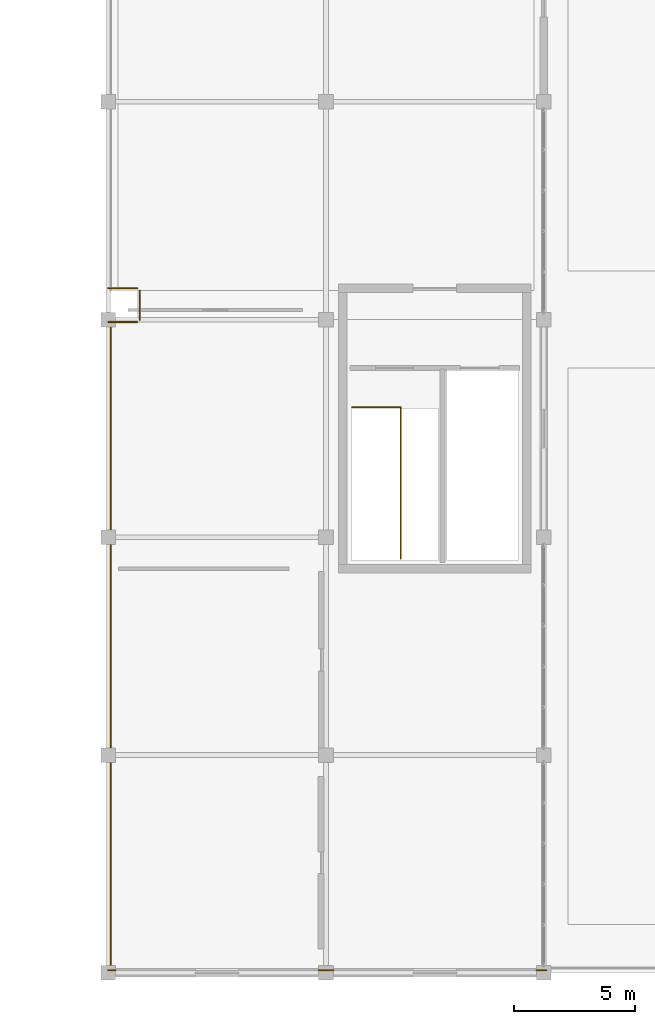
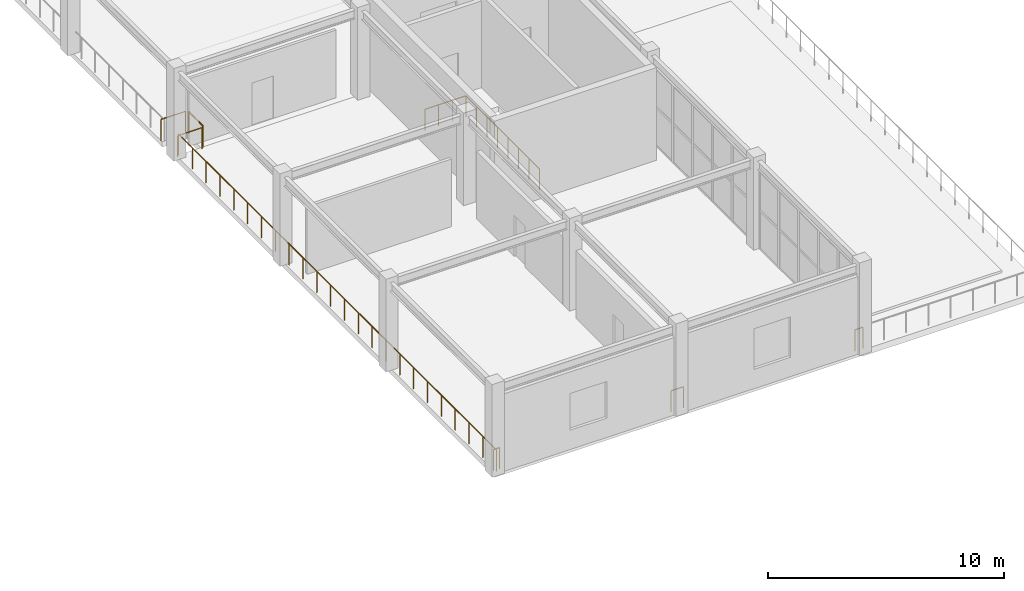
# One storey, part 161 of 167: 8 railings.
"""IFC4 building model written with IfcOpenShell, lengths in metres."""

from ifc_helpers import new_model, si_unit, direction, frame, origin, origin_2d, place, context, subcontext, project, spatial, circle, extrude, material, type_object, element, save


model = new_model("IFC4")

# Units and contexts
model_context = context("Model", 3, precision=1e-05, world=origin(), true_north=direction((0.0, 1.0)))
body_context = subcontext(model_context, "Body", "Model", "MODEL_VIEW")
ifc_project = project(units=[si_unit("LENGTHUNIT", "METRE"), si_unit("AREAUNIT", "SQUARE_METRE"), si_unit("VOLUMEUNIT", "CUBIC_METRE"), si_unit("PLANEANGLEUNIT", "RADIAN"), si_unit("MASSUNIT", "GRAM", prefix="KILO")], contexts=[model_context])

# Site, building, storey
site_placement = place(None, origin())
site = spatial("IfcSite", under=ifc_project, at=site_placement, CompositionType="ELEMENT")
building_placement = place(site_placement, origin())
building = spatial("IfcBuilding", under=site, at=building_placement, Name="Dornveld Trade and Exhibition Forum", CompositionType="ELEMENT")
storey_placement = place(building_placement, frame((0.0, 0.0, 16.800048828125)))
storey = spatial("IfcBuildingStorey", under=building, at=storey_placement, Name="L03", CompositionType="ELEMENT", Elevation=16.800048828125)

# Railings
ifc_material_1 = material(Name="Dark-bronze steel and laminated glass balustrade", Category="steel")
railing_type_1 = type_object("IfcRailingType", Name="RL-BALUST-CONC", PredefinedType="BALUSTRADE", material=ifc_material_1)
railing_1_placement = place(storey_placement, frame((199.300048828125, 27.0, 0.0)))
element("IfcRailing", 1, at=railing_1_placement, inside=storey, type_object=railing_type_1, Name="L03 deck edge balustrade 171", PredefinedType="BALUSTRADE", context=body_context, shape_type="SweptSolid", body=[
    extrude(circle(Radius=0.02490234375, at=origin_2d()), frame((0.0, 0.0, 1.09521484375), z_axis=(0.0, 1.0, 0.0), x_axis=(-1.0, 0.0, 0.0)), (0.0, 0.0, 1.0), 1.199951171875),
    extrude(circle(Radius=0.02099609375, at=origin_2d()), origin(), (0.0, 0.0, 1.0), 1.070068359375),
    extrude(circle(Radius=0.02099609375, at=origin_2d()), frame((0.0, 1.199951171875, 0.0)), (0.0, 0.0, 1.0), 1.070068359375),
])
railing_2_placement = place(storey_placement, frame((199.199951171875, 28.300048828125, 0.0)))
element("IfcRailing", 2, at=railing_2_placement, inside=storey, type_object=railing_type_1, Name="L03 deck edge balustrade 172", PredefinedType="BALUSTRADE", context=body_context, shape_type="SweptSolid", body=[
    extrude(circle(Radius=0.02490234375, at=origin_2d()), frame((0.0, 0.0, 1.09521484375), z_axis=(-1.0, 0.0, 0.0), x_axis=(0.0, -1.0, 0.0)), (0.0, 0.0, 1.0), 1.199951171875),
    extrude(circle(Radius=0.02099609375, at=origin_2d()), origin(), (0.0, 0.0, 1.0), 1.070068359375),
    extrude(circle(Radius=0.02099609375, at=origin_2d()), frame((-1.199951171875, 0.0, 0.0)), (0.0, 0.0, 1.0), 1.070068359375),
])
railing_3_placement = place(storey_placement, frame((216.10009765625, 0.10009765625, 0.0)))
element("IfcRailing", 3, at=railing_3_placement, inside=storey, type_object=railing_type_1, Name="L03 deck edge balustrade 177", PredefinedType="BALUSTRADE", context=body_context, shape_type="SweptSolid", body=[
    extrude(circle(Radius=0.02490234375, at=origin_2d()), frame((0.0, 0.0, 1.09521484375), z_axis=(-1.0, 0.0, 0.0), x_axis=(0.0, -1.0, 0.0)), (0.0, 0.0, 1.0), 0.399658203125),
    extrude(circle(Radius=0.02099609375, at=origin_2d()), origin(), (0.0, 0.0, 1.0), 1.070068359375),
    extrude(circle(Radius=0.02099609375, at=origin_2d()), frame((-0.399658203125, 0.0, 0.0)), (0.0, 0.0, 1.0), 1.070068359375),
])
railing_4_placement = place(storey_placement, frame((207.299560546875, 0.10009765625, 0.0)))
element("IfcRailing", 4, at=railing_4_placement, inside=storey, type_object=railing_type_1, Name="L03 deck edge balustrade 178", PredefinedType="BALUSTRADE", context=body_context, shape_type="SweptSolid", body=[
    extrude(circle(Radius=0.02490234375, at=origin_2d()), frame((0.0, 0.0, 1.09521484375), z_axis=(-1.0, 0.0, 0.0), x_axis=(0.0, -1.0, 0.0)), (0.0, 0.0, 1.0), 0.59912109375),
    extrude(circle(Radius=0.02099609375, at=origin_2d()), origin(), (0.0, 0.0, 1.0), 1.070068359375),
    extrude(circle(Radius=0.02099609375, at=origin_2d()), frame((-0.59912109375, 0.0, 0.0)), (0.0, 0.0, 1.0), 1.070068359375),
])
railing_5_placement = place(storey_placement, frame((198.299560546875, 0.10009765625, 0.0)))
element("IfcRailing", 5, at=railing_5_placement, inside=storey, type_object=railing_type_1, Name="L03 deck edge balustrade 179", PredefinedType="BALUSTRADE", context=body_context, shape_type="SweptSolid", body=[
    extrude(circle(Radius=0.02490234375, at=origin_2d()), frame((0.0, 0.0, 1.09521484375), z_axis=(-1.0, 0.0, 0.0), x_axis=(0.0, -1.0, 0.0)), (0.0, 0.0, 1.0), 0.299560546875),
    extrude(circle(Radius=0.02099609375, at=origin_2d()), origin(), (0.0, 0.0, 1.0), 1.070068359375),
    extrude(circle(Radius=0.02099609375, at=origin_2d()), frame((-0.299560546875, 0.0, 0.0)), (0.0, 0.0, 1.0), 1.070068359375),
])
railing_6_placement = place(storey_placement, frame((198.10009765625, 0.0, 0.0)))
element("IfcRailing", 6, at=railing_6_placement, inside=storey, type_object=railing_type_1, Name="L03 deck edge balustrade 180", PredefinedType="BALUSTRADE", context=body_context, shape_type="SweptSolid", body=[
    extrude(circle(Radius=0.02490234375, at=origin_2d()), frame((0.0, 0.0, 1.09521484375), z_axis=(0.0, 1.0, 0.0), x_axis=(-1.0, 0.0, 0.0)), (0.0, 0.0, 1.0), 27.0),
    extrude(circle(Radius=0.02099609375, at=origin_2d()), origin(), (0.0, 0.0, 1.0), 1.070068359375),
    extrude(circle(Radius=0.02099609375, at=origin_2d()), frame((0.0, 1.173828125, 0.0)), (0.0, 0.0, 1.0), 1.070068359375),
    extrude(circle(Radius=0.02099609375, at=origin_2d()), frame((0.0, 2.347900390625, 0.0)), (0.0, 0.0, 1.0), 1.070068359375),
    extrude(circle(Radius=0.02099609375, at=origin_2d()), frame((0.0, 3.521728515625, 0.0)), (0.0, 0.0, 1.0), 1.070068359375),
    extrude(circle(Radius=0.02099609375, at=origin_2d()), frame((0.0, 4.695556640625, 0.0)), (0.0, 0.0, 1.0), 1.070068359375),
    extrude(circle(Radius=0.02099609375, at=origin_2d()), frame((0.0, 5.86962890625, 0.0)), (0.0, 0.0, 1.0), 1.070068359375),
    extrude(circle(Radius=0.02099609375, at=origin_2d()), frame((0.0, 7.04345703125, 0.0)), (0.0, 0.0, 1.0), 1.070068359375),
    extrude(circle(Radius=0.02099609375, at=origin_2d()), frame((0.0, 8.21728515625, 0.0)), (0.0, 0.0, 1.0), 1.070068359375),
    extrude(circle(Radius=0.02099609375, at=origin_2d()), frame((0.0, 9.391357421875, 0.0)), (0.0, 0.0, 1.0), 1.070068359375),
    extrude(circle(Radius=0.02099609375, at=origin_2d()), frame((0.0, 10.565185546875, 0.0)), (0.0, 0.0, 1.0), 1.070068359375),
    extrude(circle(Radius=0.02099609375, at=origin_2d()), frame((0.0, 11.739013671875, 0.0)), (0.0, 0.0, 1.0), 1.070068359375),
    extrude(circle(Radius=0.02099609375, at=origin_2d()), frame((0.0, 12.9130859375, 0.0)), (0.0, 0.0, 1.0), 1.070068359375),
    extrude(circle(Radius=0.02099609375, at=origin_2d()), frame((0.0, 14.0869140625, 0.0)), (0.0, 0.0, 1.0), 1.070068359375),
    extrude(circle(Radius=0.02099609375, at=origin_2d()), frame((0.0, 15.260986328125, 0.0)), (0.0, 0.0, 1.0), 1.070068359375),
    extrude(circle(Radius=0.02099609375, at=origin_2d()), frame((0.0, 16.434814453125, 0.0)), (0.0, 0.0, 1.0), 1.070068359375),
    extrude(circle(Radius=0.02099609375, at=origin_2d()), frame((0.0, 17.608642578125, 0.0)), (0.0, 0.0, 1.0), 1.070068359375),
    extrude(circle(Radius=0.02099609375, at=origin_2d()), frame((0.0, 18.78271484375, 0.0)), (0.0, 0.0, 1.0), 1.070068359375),
    extrude(circle(Radius=0.02099609375, at=origin_2d()), frame((0.0, 19.95654296875, 0.0)), (0.0, 0.0, 1.0), 1.070068359375),
    extrude(circle(Radius=0.02099609375, at=origin_2d()), frame((0.0, 21.13037109375, 0.0)), (0.0, 0.0, 1.0), 1.070068359375),
    extrude(circle(Radius=0.02099609375, at=origin_2d()), frame((0.0, 22.304443359375, 0.0)), (0.0, 0.0, 1.0), 1.070068359375),
    extrude(circle(Radius=0.02099609375, at=origin_2d()), frame((0.0, 23.478271484375, 0.0)), (0.0, 0.0, 1.0), 1.070068359375),
    extrude(circle(Radius=0.02099609375, at=origin_2d()), frame((0.0, 24.652099609375, 0.0)), (0.0, 0.0, 1.0), 1.070068359375),
    extrude(circle(Radius=0.02099609375, at=origin_2d()), frame((0.0, 25.826171875, 0.0)), (0.0, 0.0, 1.0), 1.070068359375),
    extrude(circle(Radius=0.02099609375, at=origin_2d()), frame((0.0, 27.0, 0.0)), (0.0, 0.0, 1.0), 1.070068359375),
])
railing_7_placement = place(storey_placement, frame((198.0, 26.89990234375, 0.0)))
element("IfcRailing", 7, at=railing_7_placement, inside=storey, type_object=railing_type_1, Name="L03 deck edge balustrade 181", PredefinedType="BALUSTRADE", context=body_context, shape_type="SweptSolid", body=[
    extrude(circle(Radius=0.02490234375, at=origin_2d()), frame((0.0, 0.0, 1.09521484375), z_axis=(1.0, 0.0, 0.0), x_axis=(0.0, 1.0, 0.0)), (0.0, 0.0, 1.0), 1.199951171875),
    extrude(circle(Radius=0.02099609375, at=origin_2d()), origin(), (0.0, 0.0, 1.0), 1.070068359375),
    extrude(circle(Radius=0.02099609375, at=origin_2d()), frame((1.199951171875, 0.0, 0.0)), (0.0, 0.0, 1.0), 1.070068359375),
])
ifc_material_2 = material(Name="Painted steel S355J2 stair-well guard", Category="steel")
railing_type_2 = type_object("IfcRailingType", Name="RL-WELL-110", PredefinedType="GUARDRAIL", material=ifc_material_2)
railing_8_placement = place(storey_placement, frame((208.080078125, 23.3701171875, 0.0)))
element("IfcRailing", 8, at=railing_8_placement, inside=storey, type_object=railing_type_2, Name="CORE-11 L03 stair-well top guard", PredefinedType="GUARDRAIL", context=body_context, shape_type="SweptSolid", body=[
    extrude(circle(Radius=0.02392578125, at=origin_2d()), frame((0.0, 0.0, 1.076171875), z_axis=(1.0, 0.0, 0.0), x_axis=(0.0, 1.0, 0.0)), (0.0, 0.0, 1.0), 2.0048828125),
    extrude(circle(Radius=0.02392578125, at=origin_2d()), frame((2.0048828125, 0.0, 1.076171875), z_axis=(0.0, -1.0, 0.0), x_axis=(1.0, 0.0, 0.0)), (0.0, 0.0, 1.0), 6.25),
    extrude(circle(Radius=0.02001953125, at=origin_2d()), origin(), (0.0, 0.0, 1.0), 1.052001953125),
    extrude(circle(Radius=0.02001953125, at=origin_2d()), frame((0.668212890625, 0.0, 0.0)), (0.0, 0.0, 1.0), 1.052001953125),
    extrude(circle(Radius=0.02001953125, at=origin_2d()), frame((1.336669921875, 0.0, 0.0)), (0.0, 0.0, 1.0), 1.052001953125),
    extrude(circle(Radius=0.02001953125, at=origin_2d()), frame((2.0048828125, 0.0, 0.0)), (0.0, 0.0, 1.0), 1.052001953125),
    extrude(circle(Radius=0.02001953125, at=origin_2d()), frame((2.0048828125, -0.892822265625, 0.0)), (0.0, 0.0, 1.0), 1.052001953125),
    extrude(circle(Radius=0.02001953125, at=origin_2d()), frame((2.0048828125, -1.78564453125, 0.0)), (0.0, 0.0, 1.0), 1.052001953125),
    extrude(circle(Radius=0.02001953125, at=origin_2d()), frame((2.0048828125, -2.678466796875, 0.0)), (0.0, 0.0, 1.0), 1.052001953125),
    extrude(circle(Radius=0.02001953125, at=origin_2d()), frame((2.0048828125, -3.571533203125, 0.0)), (0.0, 0.0, 1.0), 1.052001953125),
    extrude(circle(Radius=0.02001953125, at=origin_2d()), frame((2.0048828125, -4.46435546875, 0.0)), (0.0, 0.0, 1.0), 1.052001953125),
    extrude(circle(Radius=0.02001953125, at=origin_2d()), frame((2.0048828125, -5.357177734375, 0.0)), (0.0, 0.0, 1.0), 1.052001953125),
    extrude(circle(Radius=0.02001953125, at=origin_2d()), frame((2.0048828125, -6.25, 0.0)), (0.0, 0.0, 1.0), 1.052001953125),
])

save(model, "model.ifc")
